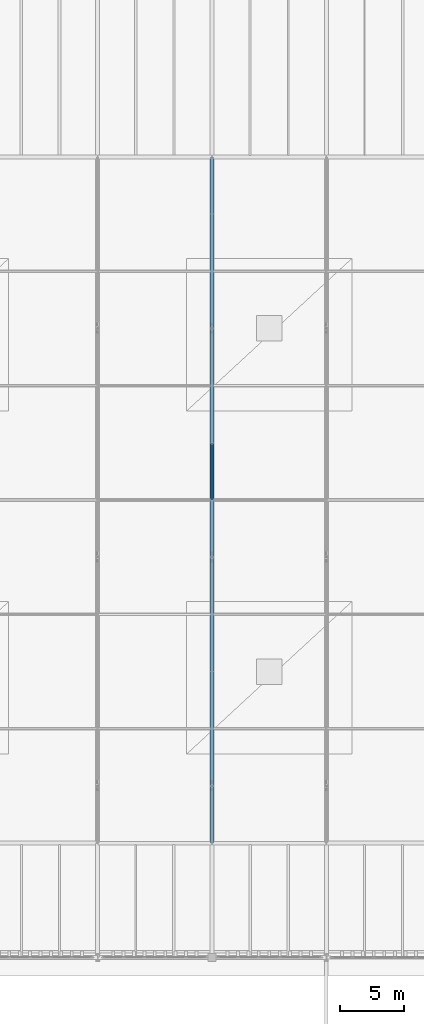
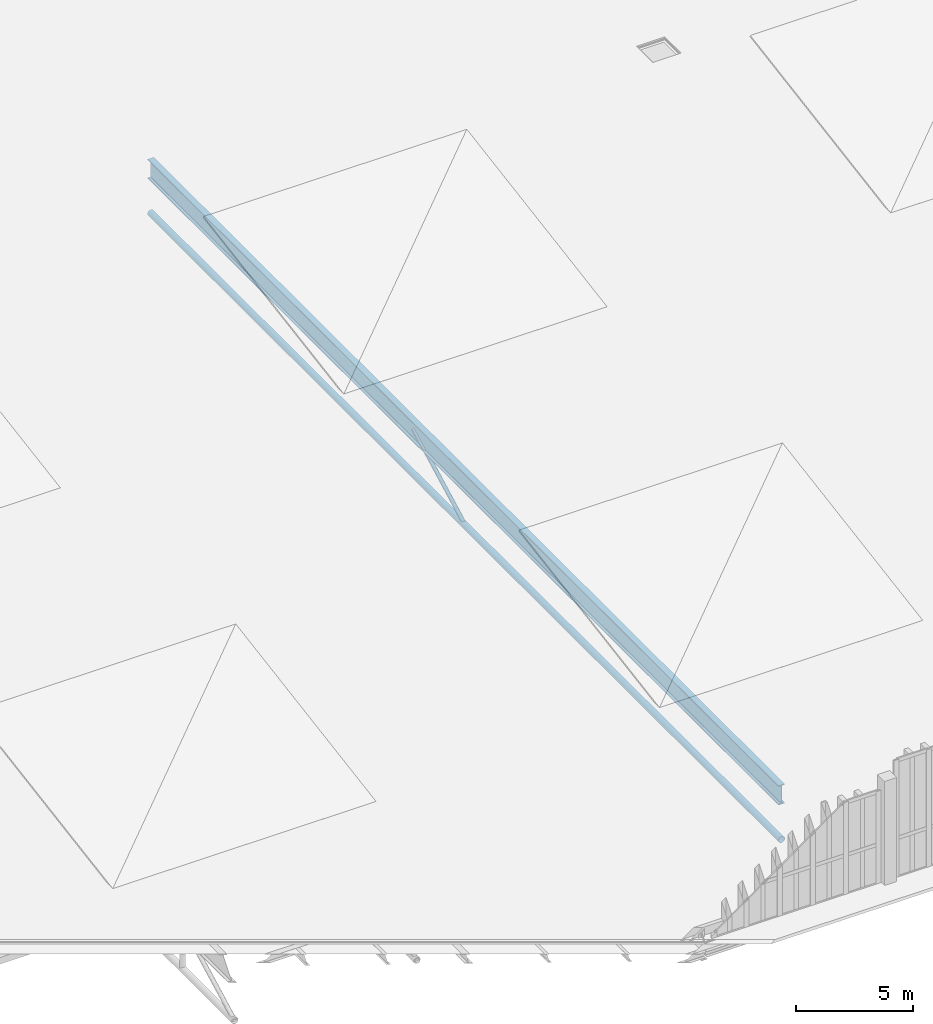
# One storey, part 59 of 196: 2 members, 1 beam.
"""IFC4 building model written with IfcOpenShell, lengths in metres."""

from ifc_helpers import new_model, si_unit, direction, frame, origin, origin_2d, place, context, subcontext, project, spatial, hollow_circle, i_section, extrude, material, material_profile, profile_set, type_object, element, save


model = new_model("IFC4")

# Units and contexts
model_context = context("Model", 3, precision=1e-05, world=origin(), true_north=direction((0.0, 1.0)))
body_context = subcontext(model_context, "Body", "Model", "MODEL_VIEW")
ifc_project = project(units=[si_unit("LENGTHUNIT", "METRE"), si_unit("AREAUNIT", "SQUARE_METRE"), si_unit("VOLUMEUNIT", "CUBIC_METRE"), si_unit("PLANEANGLEUNIT", "RADIAN"), si_unit("MASSUNIT", "GRAM", prefix="KILO")], contexts=[model_context])

# Site, building, storey
site_placement = place(None, origin())
site = spatial("IfcSite", under=ifc_project, at=site_placement, CompositionType="ELEMENT")
building_placement = place(site_placement, origin())
building = spatial("IfcBuilding", under=site, at=building_placement, Name="Barlavento Convention Centre", CompositionType="ELEMENT")
storey_placement = place(building_placement, frame((0.0, 0.0, 18.0)))
storey = spatial("IfcBuildingStorey", under=building, at=storey_placement, Name="L03", CompositionType="ELEMENT", Elevation=18.0)

# Beam
ifc_material_1 = material(Name="Steel S460", Category="steel")
ifc_material_profile_1 = material_profile(ifc_material_1, i_section(OverallWidth=0.302001953125, OverallDepth=1.008056640625, WebThickness=0.02099609375, FlangeThickness=0.0400390625, FilletRadius=0.030029296875, at=origin_2d()), Name="HEM 1000")
ifc_profile_set_1 = profile_set([ifc_material_profile_1], Name="Steel S460")
beam_type = type_object("IfcBeamType", Name="STR-BM-EXH-HEM1000", PredefinedType="BEAM", material=ifc_profile_set_1)
beam_placement = place(storey_placement, frame((45.0, 63.02001953125, -0.84912109375), z_axis=(0.0, 1.0, 0.0), x_axis=(-1.0, 0.0, 0.0)))
element("IfcBeam", 1, at=beam_placement, inside=storey, type_object=beam_type, Name="Exhibition roof space frame top girder", PredefinedType="BEAM", context=body_context, shape_type="SweptSolid", body=[
    extrude(i_section(OverallWidth=0.302001953125, OverallDepth=1.008056640625, WebThickness=0.02099609375, FlangeThickness=0.0400390625, FilletRadius=0.030029296875, at=origin_2d()), origin(), (0.0, 0.0, 1.0), 53.9599609375),
])

# Members
ifc_material_2 = material(Name="Steel S355", Category="steel")
ifc_material_profile_2 = material_profile(ifc_material_2, hollow_circle(Radius=0.161865234375, WallThickness=0.01611328125, at=origin_2d()), Name="CHS 323.9x16.0")
ifc_profile_set_2 = profile_set([ifc_material_profile_2], Name="Steel S355")
member_type_1 = type_object("IfcMemberType", Name="STR-MEM-CHD-CHS323", PredefinedType="CHORD", material=ifc_profile_set_2)
member_1_placement = place(storey_placement, frame((45.0, 63.02001953125, -3.199951171875), z_axis=(0.0, 1.0, 0.0), x_axis=(-1.0, 0.0, 0.0)))
element("IfcMember", 2, at=member_1_placement, inside=storey, type_object=member_type_1, Name="Exhibition space frame bottom chord TC02", PredefinedType="CHORD", context=body_context, shape_type="SweptSolid", body=[
    extrude(hollow_circle(Radius=0.161865234375, WallThickness=0.01611328125, at=origin_2d()), origin(), (0.0, 0.0, 1.0), 53.9599609375),
])
ifc_material_profile_3 = material_profile(ifc_material_2, hollow_circle(Radius=0.096923828125, WallThickness=0.010009765625, at=origin_2d()), Name="CHS 193.7x10.0")
ifc_profile_set_3 = profile_set([ifc_material_profile_3], Name="Steel S355")
member_type_2 = type_object("IfcMemberType", Name="STR-MEM-DIAG-CHS193", PredefinedType="RAFTER", material=ifc_profile_set_3)
member_2_placement = place(storey_placement, frame((45.0, 90.050048828125, -3.199951171875), z_axis=(0.0, 0.884200566707, 0.467107437144), x_axis=(-1.0, 0.0, 0.0)))
element("IfcMember", 3, at=member_2_placement, inside=storey, type_object=member_type_2, Name="Exhibition space frame web diagonal", PredefinedType="RAFTER", context=body_context, shape_type="SweptSolid", body=[
    extrude(hollow_circle(Radius=0.096923828125, WallThickness=0.010009765625, at=origin_2d()), origin(), (0.0, 0.0, 1.0), 5.03271484375),
])

save(model, "model.ifc")
